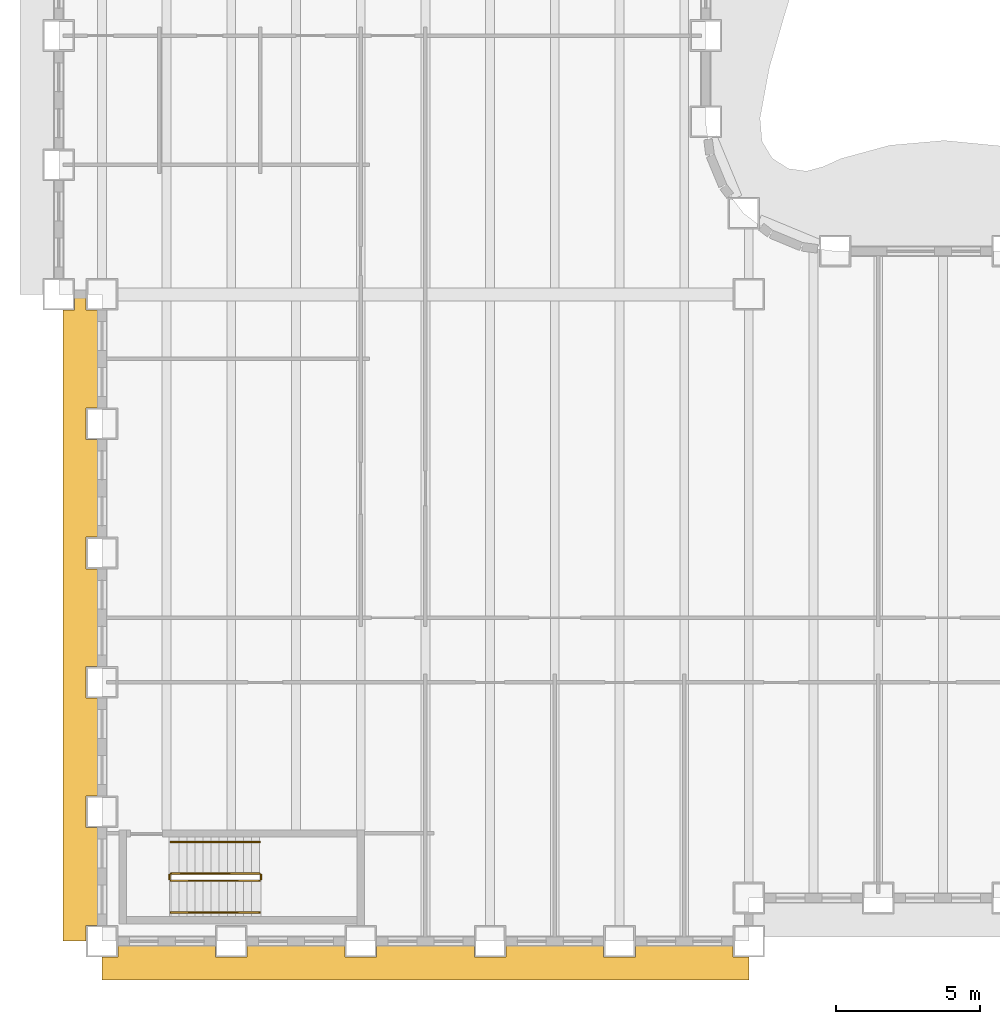
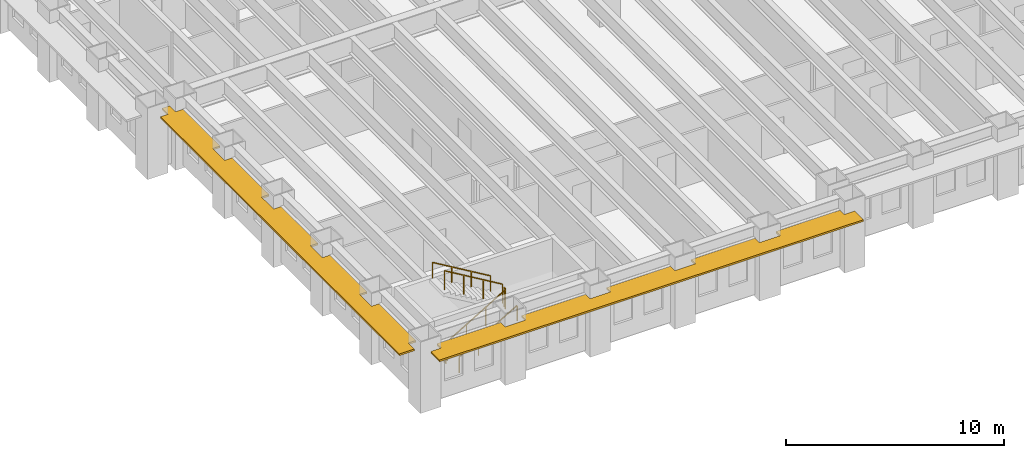
# One storey, part 11 of 16: 6 railings, 2 shading devices.
"""IFC4 building model written with IfcOpenShell, lengths in metres."""

from ifc_helpers import new_model, si_unit, direction, frame, origin, origin_2d, place, context, subcontext, project, spatial, polyline, rectangle, outline, extrude, material, layer, layer_set, type_object, element, save


model = new_model("IFC4")

# Units and contexts
model_context = context("Model", 3, precision=1e-05, world=origin(), true_north=direction((0.0, 1.0)))
body_context = subcontext(model_context, "Body", "Model", "MODEL_VIEW")
ifc_project = project(units=[si_unit("LENGTHUNIT", "METRE"), si_unit("AREAUNIT", "SQUARE_METRE"), si_unit("VOLUMEUNIT", "CUBIC_METRE"), si_unit("PLANEANGLEUNIT", "RADIAN"), si_unit("MASSUNIT", "GRAM", prefix="KILO")], contexts=[model_context])

# Site, building, storey
site_placement = place(None, origin())
site = spatial("IfcSite", under=ifc_project, at=site_placement, CompositionType="ELEMENT")
building_placement = place(site_placement, origin())
building = spatial("IfcBuilding", under=site, at=building_placement, Name="Sennacour Bend Tower", CompositionType="ELEMENT")
storey_placement = place(building_placement, frame((0.0, 0.0, 69.0)))
storey = spatial("IfcBuildingStorey", under=building, at=storey_placement, Name="L15", CompositionType="ELEMENT", Elevation=69.0)

# Railings
ifc_material_1 = material(Name="Stainless steel", Category="steel")
railing_type_1 = type_object("IfcRailingType", Name="RL-GUARD-1100", PredefinedType="GUARDRAIL", material=ifc_material_1)
railing_1_placement = place(storey_placement, frame((2.39990234375, 2.10009765625, 0.166748046875)))
element("IfcRailing", 1, at=railing_1_placement, inside=storey, type_object=railing_type_1, Name="L15 SK1 stair guard 1", PredefinedType="GUARDRAIL", context=body_context, shape_type="SweptSolid", body=[
    extrude(rectangle(XDim=0.048095703125, YDim=0.048095703125, at=origin_2d()), frame((0.0, 0.0, 1.076171875), z_axis=(0.859308565015, 0.0, 0.511457515432), x_axis=(0.0, 1.0, 0.0)), (0.0, 0.0, 1.0), 3.58447265625),
    extrude(rectangle(XDim=0.0419921875, YDim=0.0419921875, at=origin_2d()), origin(), (0.0, 0.0, 1.0), 1.052001953125),
    extrude(rectangle(XDim=0.0419921875, YDim=0.0419921875, at=origin_2d()), frame((1.026611328125, 0.0, 0.611083984375)), (0.0, 0.0, 1.0), 1.052001953125),
    extrude(rectangle(XDim=0.0419921875, YDim=0.0419921875, at=origin_2d()), frame((2.053466796875, 0.0, 1.22216796875)), (0.0, 0.0, 1.0), 1.052001953125),
    extrude(rectangle(XDim=0.0419921875, YDim=0.0419921875, at=origin_2d()), frame((3.080078125, 0.0, 1.833251953125)), (0.0, 0.0, 1.0), 1.052001953125),
])
railing_2_placement = place(storey_placement, frame((5.530029296875, 2.14990234375, 2.0)))
element("IfcRailing", 2, at=railing_2_placement, inside=storey, type_object=railing_type_1, Name="L15 SK1 stair guard 2", PredefinedType="GUARDRAIL", context=body_context, shape_type="SweptSolid", body=[
    extrude(rectangle(XDim=0.048095703125, YDim=0.048095703125, at=origin_2d()), frame((0.0, 0.0, 1.076171875), z_axis=(0.0, 1.0, 0.0), x_axis=(-1.0, 0.0, 0.0)), (0.0, 0.0, 1.0), 0.150146484375),
    extrude(rectangle(XDim=0.0419921875, YDim=0.0419921875, at=origin_2d()), origin(), (0.0, 0.0, 1.0), 1.052001953125),
    extrude(rectangle(XDim=0.0419921875, YDim=0.0419921875, at=origin_2d()), frame((0.0, 0.150146484375, 0.0)), (0.0, 0.0, 1.0), 1.052001953125),
])
railing_3_placement = place(storey_placement, frame((5.47998046875, 2.35009765625, 2.166748046875)))
element("IfcRailing", 3, at=railing_3_placement, inside=storey, type_object=railing_type_1, Name="L15 SK1 stair guard 3", PredefinedType="GUARDRAIL", context=body_context, shape_type="SweptSolid", body=[
    extrude(rectangle(XDim=0.048095703125, YDim=0.048095703125, at=origin_2d()), frame((0.0, 0.0, 1.076171875), z_axis=(-0.859308565015, 0.0, 0.511457515432), x_axis=(0.0, -1.0, 0.0)), (0.0, 0.0, 1.0), 3.58447265625),
    extrude(rectangle(XDim=0.0419921875, YDim=0.0419921875, at=origin_2d()), origin(), (0.0, 0.0, 1.0), 1.052001953125),
    extrude(rectangle(XDim=0.0419921875, YDim=0.0419921875, at=origin_2d()), frame((-1.026611328125, 0.0, 0.611083984375)), (0.0, 0.0, 1.0), 1.052001953125),
    extrude(rectangle(XDim=0.0419921875, YDim=0.0419921875, at=origin_2d()), frame((-2.053466796875, 0.0, 1.22216796875)), (0.0, 0.0, 1.0), 1.052001953125),
    extrude(rectangle(XDim=0.0419921875, YDim=0.0419921875, at=origin_2d()), frame((-3.080078125, 0.0, 1.833251953125)), (0.0, 0.0, 1.0), 1.052001953125),
])
railing_4_placement = place(storey_placement, frame((2.35009765625, 2.14990234375, 0.0)))
element("IfcRailing", 4, at=railing_4_placement, inside=storey, type_object=railing_type_1, Name="L15 SK1 stair guard 4", PredefinedType="GUARDRAIL", context=body_context, shape_type="SweptSolid", body=[
    extrude(rectangle(XDim=0.048095703125, YDim=0.048095703125, at=origin_2d()), frame((0.0, 0.0, 1.076171875), z_axis=(0.0, 1.0, 0.0), x_axis=(-1.0, 0.0, 0.0)), (0.0, 0.0, 1.0), 0.150146484375),
    extrude(rectangle(XDim=0.0419921875, YDim=0.0419921875, at=origin_2d()), origin(), (0.0, 0.0, 1.0), 1.052001953125),
    extrude(rectangle(XDim=0.0419921875, YDim=0.0419921875, at=origin_2d()), frame((0.0, 0.150146484375, 0.0)), (0.0, 0.0, 1.0), 1.052001953125),
])
railing_type_2 = type_object("IfcRailingType", Name="RL-HANDRAIL-900", PredefinedType="HANDRAIL", material=ifc_material_1)
railing_5_placement = place(storey_placement, frame((2.39990234375, 1.0, 0.166748046875)))
element("IfcRailing", 5, at=railing_5_placement, inside=storey, type_object=railing_type_2, Name="L15 SK1 stair handrail 1", PredefinedType="HANDRAIL", context=body_context, shape_type="SweptSolid", body=[
    extrude(rectangle(XDim=0.048095703125, YDim=0.048095703125, at=origin_2d()), frame((0.0, 0.0, 0.8759765625), z_axis=(0.859308565015, 0.0, 0.511457515432), x_axis=(0.0, 1.0, 0.0)), (0.0, 0.0, 1.0), 3.58447265625),
    extrude(rectangle(XDim=0.0419921875, YDim=0.0419921875, at=origin_2d()), origin(), (0.0, 0.0, 1.0), 0.851806640625),
    extrude(rectangle(XDim=0.0419921875, YDim=0.0419921875, at=origin_2d()), frame((1.026611328125, 0.0, 0.611083984375)), (0.0, 0.0, 1.0), 0.851806640625),
    extrude(rectangle(XDim=0.0419921875, YDim=0.0419921875, at=origin_2d()), frame((2.053466796875, 0.0, 1.22216796875)), (0.0, 0.0, 1.0), 0.851806640625),
    extrude(rectangle(XDim=0.0419921875, YDim=0.0419921875, at=origin_2d()), frame((3.080078125, 0.0, 1.833251953125)), (0.0, 0.0, 1.0), 0.851806640625),
])
railing_6_placement = place(storey_placement, frame((5.47998046875, 3.449951171875, 2.166748046875)))
element("IfcRailing", 6, at=railing_6_placement, inside=storey, type_object=railing_type_2, Name="L15 SK1 stair handrail 2", PredefinedType="HANDRAIL", context=body_context, shape_type="SweptSolid", body=[
    extrude(rectangle(XDim=0.048095703125, YDim=0.048095703125, at=origin_2d()), frame((0.0, 0.0, 0.8759765625), z_axis=(-0.859308565015, 0.0, 0.511457515432), x_axis=(0.0, -1.0, 0.0)), (0.0, 0.0, 1.0), 3.58447265625),
    extrude(rectangle(XDim=0.0419921875, YDim=0.0419921875, at=origin_2d()), origin(), (0.0, 0.0, 1.0), 0.851806640625),
    extrude(rectangle(XDim=0.0419921875, YDim=0.0419921875, at=origin_2d()), frame((-1.026611328125, 0.0, 0.611083984375)), (0.0, 0.0, 1.0), 0.851806640625),
    extrude(rectangle(XDim=0.0419921875, YDim=0.0419921875, at=origin_2d()), frame((-2.053466796875, 0.0, 1.22216796875)), (0.0, 0.0, 1.0), 0.851806640625),
    extrude(rectangle(XDim=0.0419921875, YDim=0.0419921875, at=origin_2d()), frame((-3.080078125, 0.0, 1.833251953125)), (0.0, 0.0, 1.0), 0.851806640625),
])

# Shading devices
ifc_material_2 = material(Name="Bronze anodised aluminium", Category="aluminium")
ifc_layer = layer(ifc_material_2, 0.10009765625, Name="Bronze anodised aluminium", Category="aluminium")
ifc_layer_set = layer_set([ifc_layer], Name="Bronze anodised aluminium")
shading_device_type = type_object("IfcShadingDeviceType", Name="SUNSHADE BAND STRAIGHT", PredefinedType="USERDEFINED", material=ifc_layer_set)
shading_device_1_placement = place(storey_placement, frame((0.0, 0.0, 3.0439453125)))
element("IfcShadingDevice", 7, at=shading_device_1_placement, inside=storey, type_object=shading_device_type, Name="Sunshade band L15 K outer face", ObjectType="SUNSHADE", PredefinedType="USERDEFINED", context=body_context, shape_type="SweptSolid", body=[
    extrude(outline(polyline([(3.949951171875, -0.14990234375), (3.949951171875, -0.550048828125), (5.050048828125, -0.550048828125), (5.050048828125, -0.14990234375), (8.449951171875, -0.14990234375), (8.449951171875, -0.550048828125), (9.550048828125, -0.550048828125), (9.550048828125, -0.14990234375), (12.949951171875, -0.14990234375), (12.949951171875, -0.550048828125), (14.050048828125, -0.550048828125), (14.050048828125, -0.14990234375), (17.449951171875, -0.14990234375), (17.449951171875, -0.550048828125), (18.550048828125, -0.550048828125), (18.550048828125, -0.14990234375), (21.949951171875, -0.14990234375), (21.949951171875, -0.550048828125), (22.5, -0.550048828125), (22.5, -1.35009765625), (0.0, -1.35009765625), (0.0, -0.550048828125), (0.550048828125, -0.550048828125), (0.550048828125, -0.14990234375), (3.949951171875, -0.14990234375)])), origin(), (0.0, 0.0, 1.0), 0.10009765625),
])
shading_device_2_placement = place(storey_placement, frame((0.0, 0.0, 3.0439453125)))
element("IfcShadingDevice", 8, at=shading_device_2_placement, inside=storey, type_object=shading_device_type, Name="Sunshade band L15 K outer face", ObjectType="SUNSHADE", PredefinedType="USERDEFINED", context=body_context, shape_type="SweptSolid", body=[
    extrude(outline(polyline([(-0.14990234375, 18.550048828125), (-0.550048828125, 18.550048828125), (-0.550048828125, 17.449951171875), (-0.14990234375, 17.449951171875), (-0.14990234375, 14.050048828125), (-0.550048828125, 14.050048828125), (-0.550048828125, 12.949951171875), (-0.14990234375, 12.949951171875), (-0.14990234375, 9.550048828125), (-0.550048828125, 9.550048828125), (-0.550048828125, 8.449951171875), (-0.14990234375, 8.449951171875), (-0.14990234375, 5.050048828125), (-0.550048828125, 5.050048828125), (-0.550048828125, 3.949951171875), (-0.14990234375, 3.949951171875), (-0.14990234375, 0.550048828125), (-0.550048828125, 0.550048828125), (-0.550048828125, 0.0), (-1.35009765625, 0.0), (-1.35009765625, 21.949951171875), (-0.949951171875, 21.949951171875), (-0.949951171875, 22.5), (-0.550048828125, 22.5), (-0.550048828125, 21.949951171875), (-0.14990234375, 21.949951171875), (-0.14990234375, 18.550048828125)])), origin(), (0.0, 0.0, 1.0), 0.10009765625),
])

save(model, "model.ifc")
